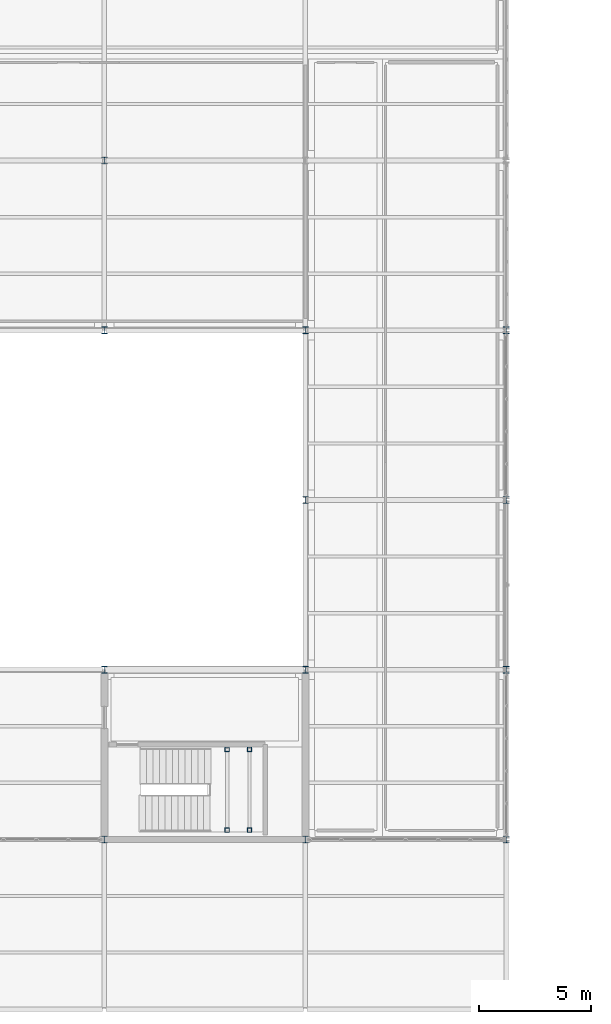
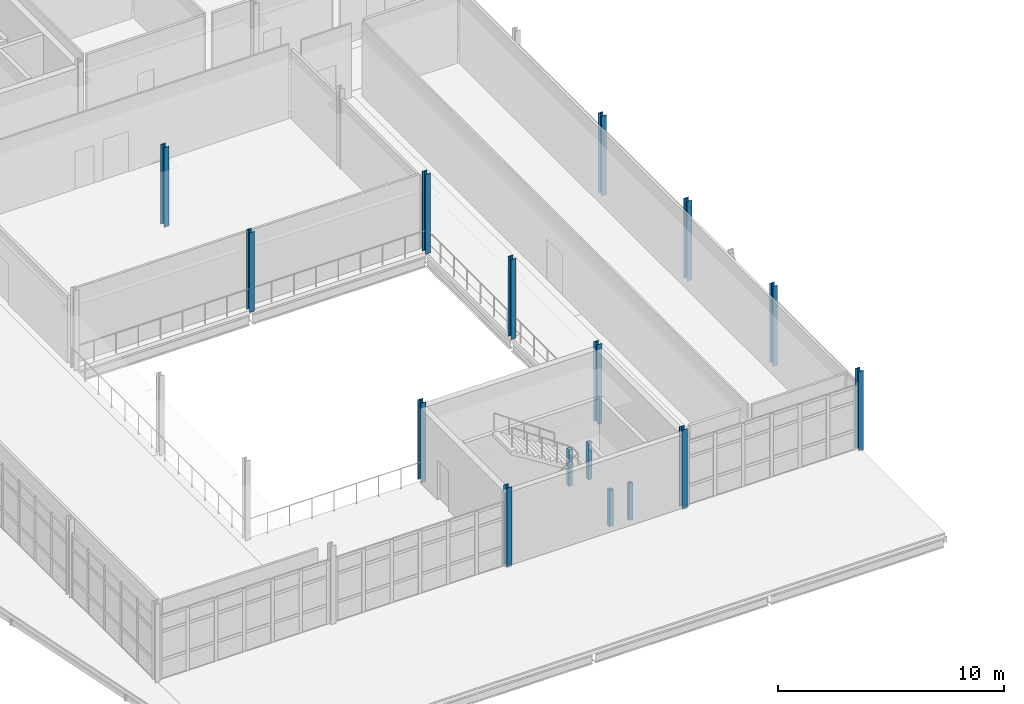
# One storey, part 13 of 96: 16 columns.
"""IFC4 building model written with IfcOpenShell, lengths in metres."""

from ifc_helpers import new_model, si_unit, direction, frame, origin, origin_2d, place, context, subcontext, project, spatial, hollow_rectangle, i_section, extrude, material, material_profile, profile_set, type_object, element, save


model = new_model("IFC4")

# Units and contexts
model_context = context("Model", 3, precision=1e-05, world=origin(), true_north=direction((0.0, 1.0)))
body_context = subcontext(model_context, "Body", "Model", "MODEL_VIEW")
ifc_project = project(units=[si_unit("LENGTHUNIT", "METRE"), si_unit("AREAUNIT", "SQUARE_METRE"), si_unit("VOLUMEUNIT", "CUBIC_METRE"), si_unit("PLANEANGLEUNIT", "RADIAN"), si_unit("MASSUNIT", "GRAM", prefix="KILO")], contexts=[model_context])

# Site, building, storey
site_placement = place(None, origin())
site = spatial("IfcSite", under=ifc_project, at=site_placement, CompositionType="ELEMENT")
building_placement = place(site_placement, origin())
building = spatial("IfcBuilding", under=site, at=building_placement, Name="Caisbarro Railhouse Central Library", CompositionType="ELEMENT")
storey_placement = place(building_placement, frame((0.0, 0.0, 13.679931640625)))
storey = spatial("IfcBuildingStorey", under=building, at=storey_placement, Name="L03", CompositionType="ELEMENT", Elevation=13.679931640625)

# Columns
ifc_material = material(Name="Steel ASTM A572 Grade 50", Category="steel")
ifc_material_profile_1 = material_profile(ifc_material, i_section(OverallWidth=0.25390625, OverallDepth=0.305908203125, WebThickness=0.0087890625, FlangeThickness=0.0146484375, FilletRadius=0.014892578125, at=origin_2d()), Name="W310X79.0")
ifc_profile_set_1 = profile_set([ifc_material_profile_1], Name="Steel ASTM A572 Grade 50")
column_type_1 = type_object("IfcColumnType", Name="COL-C07", PredefinedType="COLUMN", material=ifc_profile_set_1)
for number, where, z_axis, x_axis, name in (
    (1, (135.0, 68.39990234375, 0.0), (0.0, 0.0, 1.0), (1.0, 0.0, 0.0), "C07 column L03 (135.0,68.4)"),
    (2, (135.0, 76.0, 0.0), (0.0, 0.0, 1.0), (1.0, 0.0, 0.0), "C07 column L03 (135.0,76.0)"),
    (3, (135.0, 91.199951171875, 0.0), (0.0, 0.0, 1.0), (1.0, 0.0, 0.0), "C07 column L03 (135.0,91.2)"),
    (4, (135.0, 98.800048828125, 0.0), (0.0, 0.0, 1.0), (1.0, 0.0, 0.0), "C07 column L03 (135.0,98.8)"),
    (5, (144.0, 68.39990234375, 0.0), (0.0, 0.0, 1.0), (1.0, 0.0, 0.0), "C07 column L03 (144.0,68.4)"),
    (6, (144.0, 76.0, 0.0), (0.0, 0.0, 1.0), (1.0, 0.0, 0.0), "C07 column L03 (144.0,76.0)"),
    (7, (144.0, 83.60009765625, 0.0), (0.0, 0.0, 1.0), (1.0, 0.0, 0.0), "C07 column L03 (144.0,83.6)"),
    (8, (144.0, 91.199951171875, 0.0), (0.0, 0.0, 1.0), (1.0, 0.0, 0.0), "C07 column L03 (144.0,91.2)"),
    (9, (153.0, 68.39990234375, 0.0), (0.0, 0.0, 1.0), (1.0, 0.0, 0.0), "C07 column L03 (153.0,68.4)"),
    (10, (153.0, 76.0, 0.0), (0.0, 0.0, 1.0), (1.0, 0.0, 0.0), "C07 column L03 (153.0,76.0)"),
    (11, (153.0, 83.60009765625, 0.0), (0.0, 0.0, 1.0), (1.0, 0.0, 0.0), "C07 column L03 (153.0,83.6)"),
    (12, (153.0, 91.199951171875, 0.0), (0.0, 0.0, 1.0), (1.0, 0.0, 0.0), "C07 column L03 (153.0,91.2)"),
):
    element("IfcColumn", number, at=place(storey_placement, frame(where, z_axis=z_axis, x_axis=x_axis)), inside=storey, type_object=column_type_1, Name=name, PredefinedType="COLUMN", context=body_context, shape_type="SweptSolid", body=[
        extrude(i_section(OverallWidth=0.25390625, OverallDepth=0.305908203125, WebThickness=0.0087890625, FlangeThickness=0.0146484375, FilletRadius=0.014892578125, at=origin_2d()), origin(), (0.0, 0.0, 1.0), 4.320068359375),
    ])
ifc_material_profile_2 = material_profile(ifc_material, hollow_rectangle(XDim=0.199951171875, YDim=0.199951171875, WallThickness=0.012451171875, at=origin_2d()), Name="HSS200X200X12.5")
ifc_profile_set_2 = profile_set([ifc_material_profile_2], Name="Steel ASTM A572 Grade 50")
column_type_2 = type_object("IfcColumnType", Name="COL-C10", PredefinedType="COLUMN", material=ifc_profile_set_2)
for number, where, z_axis, x_axis, name in (
    (13, (140.5, 68.820068359375, 0.0), (0.0, 0.0, 1.0), (1.0, 0.0, 0.0), "C10 Stair Landing Post K7 L03.1"),
    (14, (140.5, 72.429931640625, 0.0), (0.0, 0.0, 1.0), (1.0, 0.0, 0.0), "C10 Stair Landing Post K7 L03.2"),
    (15, (141.5, 68.820068359375, 0.0), (0.0, 0.0, 1.0), (1.0, 0.0, 0.0), "C10 Stair Landing Post K7 L03.3"),
    (16, (141.5, 72.429931640625, 0.0), (0.0, 0.0, 1.0), (1.0, 0.0, 0.0), "C10 Stair Landing Post K7 L03.4"),
):
    element("IfcColumn", number, at=place(storey_placement, frame(where, z_axis=z_axis, x_axis=x_axis)), inside=storey, type_object=column_type_2, Name=name, PredefinedType="COLUMN", context=body_context, shape_type="SweptSolid", body=[
        extrude(hollow_rectangle(XDim=0.199951171875, YDim=0.199951171875, WallThickness=0.012451171875, at=origin_2d()), origin(), (0.0, 0.0, 1.0), 1.969970703125),
    ])

save(model, "model.ifc")
